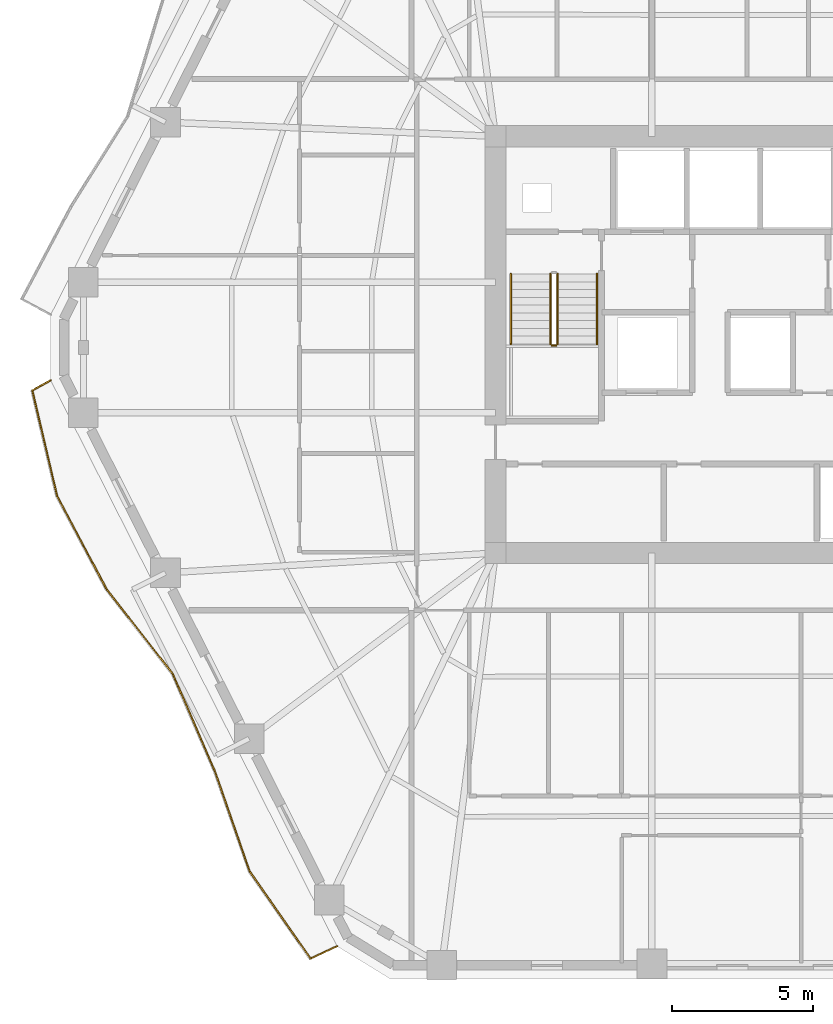
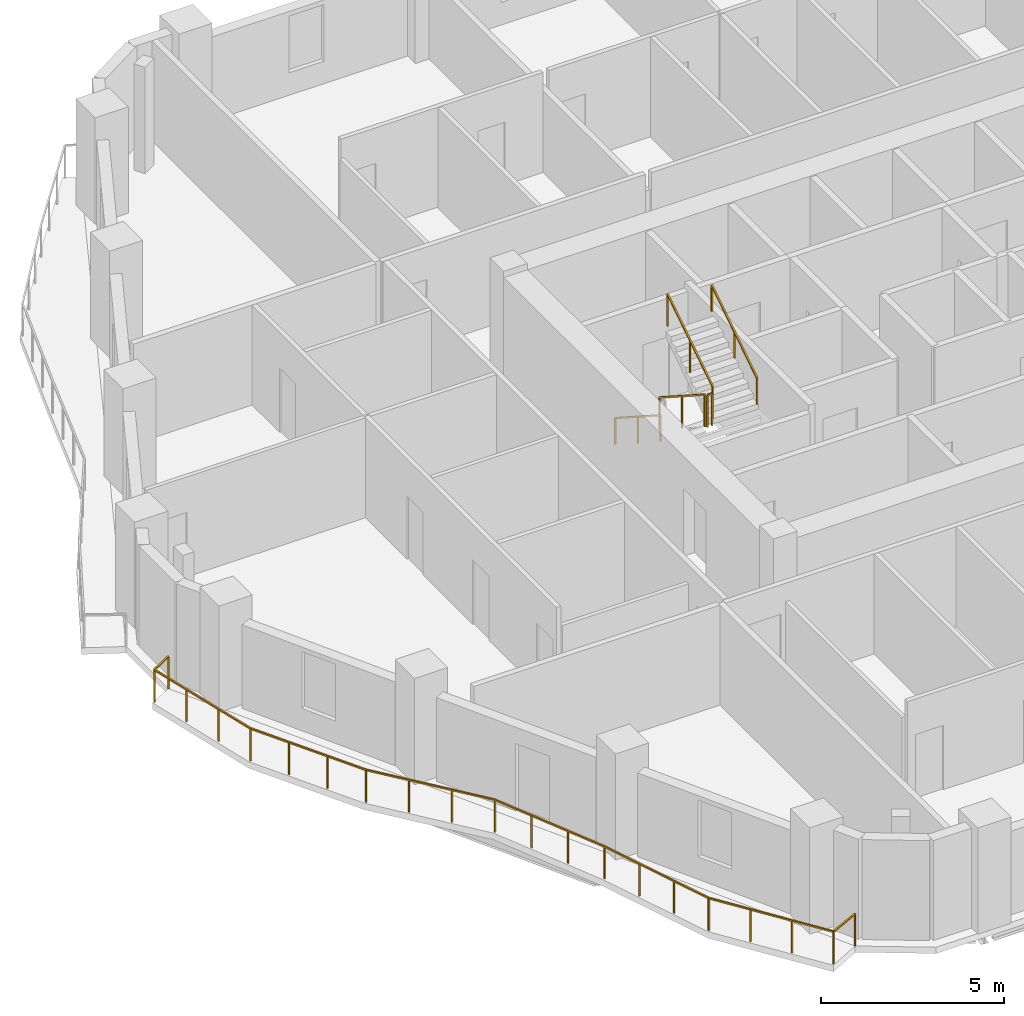
# One storey, part 9 of 11: 6 railings.
"""IFC4 building model written with IfcOpenShell, lengths in metres."""

from ifc_helpers import new_model, si_unit, direction, frame, origin, origin_2d, place, context, subcontext, project, spatial, rectangle, extrude, material, type_object, element, save


model = new_model("IFC4")

# Units and contexts
model_context = context("Model", 3, precision=1e-05, world=origin(), true_north=direction((0.0, 1.0)))
body_context = subcontext(model_context, "Body", "Model", "MODEL_VIEW")
ifc_project = project(units=[si_unit("LENGTHUNIT", "METRE"), si_unit("AREAUNIT", "SQUARE_METRE"), si_unit("VOLUMEUNIT", "CUBIC_METRE"), si_unit("PLANEANGLEUNIT", "RADIAN"), si_unit("MASSUNIT", "GRAM", prefix="KILO")], contexts=[model_context])

# Site, building, storey
site_placement = place(None, origin())
site = spatial("IfcSite", under=ifc_project, at=site_placement, CompositionType="ELEMENT")
building_placement = place(site_placement, origin())
building = spatial("IfcBuilding", under=site, at=building_placement, Name="Cinnabar Lancet Tower", CompositionType="ELEMENT")
storey_placement = place(building_placement, frame((0.0, 0.0, 105.5)))
storey = spatial("IfcBuildingStorey", under=building, at=storey_placement, Name="L27", CompositionType="ELEMENT", Elevation=105.5)

# Railings
ifc_material_1 = material(Name="Laminated safety glass and bronze stainless steel balustrade", Category="steel")
railing_type_1 = type_object("IfcRailingType", Name="ENV-RLG-BAL-1100", PredefinedType="BALUSTRADE", material=ifc_material_1)
railing_1_placement = place(storey_placement, frame((7.287109375, 24.639892578125, 0.0)))
element("IfcRailing", 1, at=railing_1_placement, inside=storey, type_object=railing_type_1, Name="L27 Face 6 Wave Balcony Balustrade", PredefinedType="BALUSTRADE", context=body_context, shape_type="SweptSolid", body=[
    extrude(rectangle(XDim=0.048095703125, YDim=0.048095703125, at=origin_2d()), frame((0.0, 0.0, 1.076171875), z_axis=(-0.874915580561, -0.48427546592, 0.0), x_axis=(0.48427546592, -0.874915580561, 0.0)), (0.0, 0.0, 1.0), 0.7431640625),
    extrude(rectangle(XDim=0.048095703125, YDim=0.048095703125, at=origin_2d()), frame((-0.650146484375, -0.35986328125, 1.076171875), z_axis=(0.228344795116, -0.97358032773, 0.0), x_axis=(0.97358032773, 0.228344795116, 0.0)), (0.0, 0.0, 1.0), 3.840576171875),
    extrude(rectangle(XDim=0.048095703125, YDim=0.048095703125, at=origin_2d()), frame((0.226806640625, -4.098876953125, 1.076171875), z_axis=(0.469525088863, -0.882919130458, 0.0), x_axis=(0.882919130458, 0.469525088863, 0.0)), (0.0, 0.0, 1.0), 3.73193359375),
    extrude(rectangle(XDim=0.048095703125, YDim=0.048095703125, at=origin_2d()), frame((1.97900390625, -7.393798828125, 1.076171875), z_axis=(0.615504449569, -0.788133410383, 0.0), x_axis=(0.788133410383, 0.615504449569, 0.0)), (0.0, 0.0, 1.0), 3.801513671875),
    extrude(rectangle(XDim=0.048095703125, YDim=0.048095703125, at=origin_2d()), frame((4.31884765625, -10.389892578125, 1.076171875), z_axis=(0.397117892974, -0.917767606249, 0.0), x_axis=(0.917767606249, 0.397117892974, 0.0)), (0.0, 0.0, 1.0), 3.7373046875),
    extrude(rectangle(XDim=0.048095703125, YDim=0.048095703125, at=origin_2d()), frame((5.802978515625, -13.81982421875, 1.076171875), z_axis=(0.328415018915, -0.944533522619, 0.0), x_axis=(0.944533522619, 0.328415018915, 0.0)), (0.0, 0.0, 1.0), 3.76611328125),
    extrude(rectangle(XDim=0.048095703125, YDim=0.048095703125, at=origin_2d()), frame((7.039794921875, -17.376953125, 1.076171875), z_axis=(0.572505720161, -0.819900725932, 0.0), x_axis=(0.819900725932, 0.572505720161, 0.0)), (0.0, 0.0, 1.0), 3.769775390625),
    extrude(rectangle(XDim=0.048095703125, YDim=0.048095703125, at=origin_2d()), frame((9.197998046875, -20.4677734375, 1.076171875), z_axis=(0.905705668705, 0.423907114442, 0.0), x_axis=(-0.423907114442, 0.905705668705, 0.0)), (0.0, 0.0, 1.0), 1.033203125),
    extrude(rectangle(XDim=0.0419921875, YDim=0.0419921875, at=origin_2d()), origin(), (0.0, 0.0, 1.0), 1.052001953125),
    extrude(rectangle(XDim=0.0419921875, YDim=0.0419921875, at=origin_2d()), frame((-0.650146484375, -0.35986328125, 0.0)), (0.0, 0.0, 1.0), 1.052001953125),
    extrude(rectangle(XDim=0.0419921875, YDim=0.0419921875, at=origin_2d()), frame((-0.35791015625, -1.606201171875, 0.0)), (0.0, 0.0, 1.0), 1.052001953125),
    extrude(rectangle(XDim=0.0419921875, YDim=0.0419921875, at=origin_2d()), frame((-0.0654296875, -2.8525390625, 0.0)), (0.0, 0.0, 1.0), 1.052001953125),
    extrude(rectangle(XDim=0.0419921875, YDim=0.0419921875, at=origin_2d()), frame((0.226806640625, -4.098876953125, 0.0)), (0.0, 0.0, 1.0), 1.052001953125),
    extrude(rectangle(XDim=0.0419921875, YDim=0.0419921875, at=origin_2d()), frame((0.810791015625, -5.197265625, 0.0)), (0.0, 0.0, 1.0), 1.052001953125),
    extrude(rectangle(XDim=0.0419921875, YDim=0.0419921875, at=origin_2d()), frame((1.39501953125, -6.29541015625, 0.0)), (0.0, 0.0, 1.0), 1.052001953125),
    extrude(rectangle(XDim=0.0419921875, YDim=0.0419921875, at=origin_2d()), frame((1.97900390625, -7.393798828125, 0.0)), (0.0, 0.0, 1.0), 1.052001953125),
    extrude(rectangle(XDim=0.0419921875, YDim=0.0419921875, at=origin_2d()), frame((2.759033203125, -8.392578125, 0.0)), (0.0, 0.0, 1.0), 1.052001953125),
    extrude(rectangle(XDim=0.0419921875, YDim=0.0419921875, at=origin_2d()), frame((3.538818359375, -9.39111328125, 0.0)), (0.0, 0.0, 1.0), 1.052001953125),
    extrude(rectangle(XDim=0.0419921875, YDim=0.0419921875, at=origin_2d()), frame((4.31884765625, -10.389892578125, 0.0)), (0.0, 0.0, 1.0), 1.052001953125),
    extrude(rectangle(XDim=0.0419921875, YDim=0.0419921875, at=origin_2d()), frame((4.8134765625, -11.533203125, 0.0)), (0.0, 0.0, 1.0), 1.052001953125),
    extrude(rectangle(XDim=0.0419921875, YDim=0.0419921875, at=origin_2d()), frame((5.308349609375, -12.676513671875, 0.0)), (0.0, 0.0, 1.0), 1.052001953125),
    extrude(rectangle(XDim=0.0419921875, YDim=0.0419921875, at=origin_2d()), frame((5.802978515625, -13.81982421875, 0.0)), (0.0, 0.0, 1.0), 1.052001953125),
    extrude(rectangle(XDim=0.0419921875, YDim=0.0419921875, at=origin_2d()), frame((6.21533203125, -15.005615234375, 0.0)), (0.0, 0.0, 1.0), 1.052001953125),
    extrude(rectangle(XDim=0.0419921875, YDim=0.0419921875, at=origin_2d()), frame((6.62744140625, -16.191162109375, 0.0)), (0.0, 0.0, 1.0), 1.052001953125),
    extrude(rectangle(XDim=0.0419921875, YDim=0.0419921875, at=origin_2d()), frame((7.039794921875, -17.376953125, 0.0)), (0.0, 0.0, 1.0), 1.052001953125),
    extrude(rectangle(XDim=0.0419921875, YDim=0.0419921875, at=origin_2d()), frame((7.75927734375, -18.4072265625, 0.0)), (0.0, 0.0, 1.0), 1.052001953125),
    extrude(rectangle(XDim=0.0419921875, YDim=0.0419921875, at=origin_2d()), frame((8.478515625, -19.4375, 0.0)), (0.0, 0.0, 1.0), 1.052001953125),
    extrude(rectangle(XDim=0.0419921875, YDim=0.0419921875, at=origin_2d()), frame((9.197998046875, -20.4677734375, 0.0)), (0.0, 0.0, 1.0), 1.052001953125),
    extrude(rectangle(XDim=0.0419921875, YDim=0.0419921875, at=origin_2d()), frame((10.1337890625, -20.02978515625, 0.0)), (0.0, 0.0, 1.0), 1.052001953125),
])
ifc_material_2 = material(Name="Painted galvanized steel balustrade", Category="steel")
railing_type_2 = type_object("IfcRailingType", Name="GUARD-STAIR", PredefinedType="GUARDRAIL", material=ifc_material_2)
railing_2_placement = place(storey_placement, frame((24.97509765625, 28.39990234375, 0.177490234375)))
element("IfcRailing", 2, at=railing_2_placement, inside=storey, type_object=railing_type_2, Name="L27 ST-1 stair guard 1", PredefinedType="GUARDRAIL", context=body_context, shape_type="SweptSolid", body=[
    extrude(rectangle(XDim=0.048095703125, YDim=0.048095703125, at=origin_2d()), frame((0.0, 0.0, 1.076171875), z_axis=(0.0, -0.840183358697, 0.542302428327), x_axis=(1.0, 0.0, 0.0)), (0.0, 0.0, 1.0), 2.945556640625),
    extrude(rectangle(XDim=0.0419921875, YDim=0.0419921875, at=origin_2d()), origin(), (0.0, 0.0, 1.0), 1.052001953125),
    extrude(rectangle(XDim=0.0419921875, YDim=0.0419921875, at=origin_2d()), frame((0.0, -1.2373046875, 0.798828125)), (0.0, 0.0, 1.0), 1.052001953125),
    extrude(rectangle(XDim=0.0419921875, YDim=0.0419921875, at=origin_2d()), frame((0.0, -2.474853515625, 1.597412109375)), (0.0, 0.0, 1.0), 1.052001953125),
])
railing_3_placement = place(storey_placement, frame((25.02490234375, 25.875, 1.77490234375)))
element("IfcRailing", 3, at=railing_3_placement, inside=storey, type_object=railing_type_2, Name="L27 ST-1 stair guard 2", PredefinedType="GUARDRAIL", context=body_context, shape_type="SweptSolid", body=[
    extrude(rectangle(XDim=0.048095703125, YDim=0.048095703125, at=origin_2d()), frame((0.0, 0.0, 1.076171875), z_axis=(1.0, 0.0, 0.0), x_axis=(0.0, 1.0, 0.0)), (0.0, 0.0, 1.0), 0.150146484375),
    extrude(rectangle(XDim=0.0419921875, YDim=0.0419921875, at=origin_2d()), origin(), (0.0, 0.0, 1.0), 1.052001953125),
    extrude(rectangle(XDim=0.0419921875, YDim=0.0419921875, at=origin_2d()), frame((0.150146484375, 0.0, 0.0)), (0.0, 0.0, 1.0), 1.052001953125),
])
railing_4_placement = place(storey_placement, frame((25.22509765625, 25.925048828125, 1.952392578125)))
element("IfcRailing", 4, at=railing_4_placement, inside=storey, type_object=railing_type_2, Name="L27 ST-1 stair guard 3", PredefinedType="GUARDRAIL", context=body_context, shape_type="SweptSolid", body=[
    extrude(rectangle(XDim=0.048095703125, YDim=0.048095703125, at=origin_2d()), frame((0.0, 0.0, 1.076171875), z_axis=(0.0, 0.84014559416, 0.542360932049), x_axis=(-1.0, 0.0, 0.0)), (0.0, 0.0, 1.0), 2.94580078125),
    extrude(rectangle(XDim=0.0419921875, YDim=0.0419921875, at=origin_2d()), origin(), (0.0, 0.0, 1.0), 1.052001953125),
    extrude(rectangle(XDim=0.0419921875, YDim=0.0419921875, at=origin_2d()), frame((0.0, 1.2373046875, 0.798828125)), (0.0, 0.0, 1.0), 1.052001953125),
    extrude(rectangle(XDim=0.0419921875, YDim=0.0419921875, at=origin_2d()), frame((0.0, 2.474853515625, 1.59765625)), (0.0, 0.0, 1.0), 1.052001953125),
])
ifc_material_3 = material(Name="Brushed stainless steel handrail", Category="steel")
railing_type_3 = type_object("IfcRailingType", Name="HANDRAIL-STAIR", PredefinedType="HANDRAIL", material=ifc_material_3)
railing_5_placement = place(storey_placement, frame((23.574951171875, 28.39990234375, 0.177490234375)))
element("IfcRailing", 5, at=railing_5_placement, inside=storey, type_object=railing_type_3, Name="L27 ST-1 stair handrail 1", PredefinedType="HANDRAIL", context=body_context, shape_type="SweptSolid", body=[
    extrude(rectangle(XDim=0.048095703125, YDim=0.048095703125, at=origin_2d()), frame((0.0, 0.0, 0.8759765625), z_axis=(0.0, -0.840183358697, 0.542302428327), x_axis=(1.0, 0.0, 0.0)), (0.0, 0.0, 1.0), 2.945556640625),
    extrude(rectangle(XDim=0.0419921875, YDim=0.0419921875, at=origin_2d()), origin(), (0.0, 0.0, 1.0), 0.851806640625),
    extrude(rectangle(XDim=0.0419921875, YDim=0.0419921875, at=origin_2d()), frame((0.0, -1.2373046875, 0.798828125)), (0.0, 0.0, 1.0), 0.851806640625),
    extrude(rectangle(XDim=0.0419921875, YDim=0.0419921875, at=origin_2d()), frame((0.0, -2.474853515625, 1.597412109375)), (0.0, 0.0, 1.0), 0.851806640625),
])
railing_6_placement = place(storey_placement, frame((26.625, 25.925048828125, 1.952392578125)))
element("IfcRailing", 6, at=railing_6_placement, inside=storey, type_object=railing_type_3, Name="L27 ST-1 stair handrail 2", PredefinedType="HANDRAIL", context=body_context, shape_type="SweptSolid", body=[
    extrude(rectangle(XDim=0.048095703125, YDim=0.048095703125, at=origin_2d()), frame((0.0, 0.0, 0.8759765625), z_axis=(0.0, 0.84014559416, 0.542360932049), x_axis=(-1.0, 0.0, 0.0)), (0.0, 0.0, 1.0), 2.94580078125),
    extrude(rectangle(XDim=0.0419921875, YDim=0.0419921875, at=origin_2d()), origin(), (0.0, 0.0, 1.0), 0.851806640625),
    extrude(rectangle(XDim=0.0419921875, YDim=0.0419921875, at=origin_2d()), frame((0.0, 1.2373046875, 0.798828125)), (0.0, 0.0, 1.0), 0.851806640625),
    extrude(rectangle(XDim=0.0419921875, YDim=0.0419921875, at=origin_2d()), frame((0.0, 2.474853515625, 1.59765625)), (0.0, 0.0, 1.0), 0.851806640625),
])

save(model, "model.ifc")
